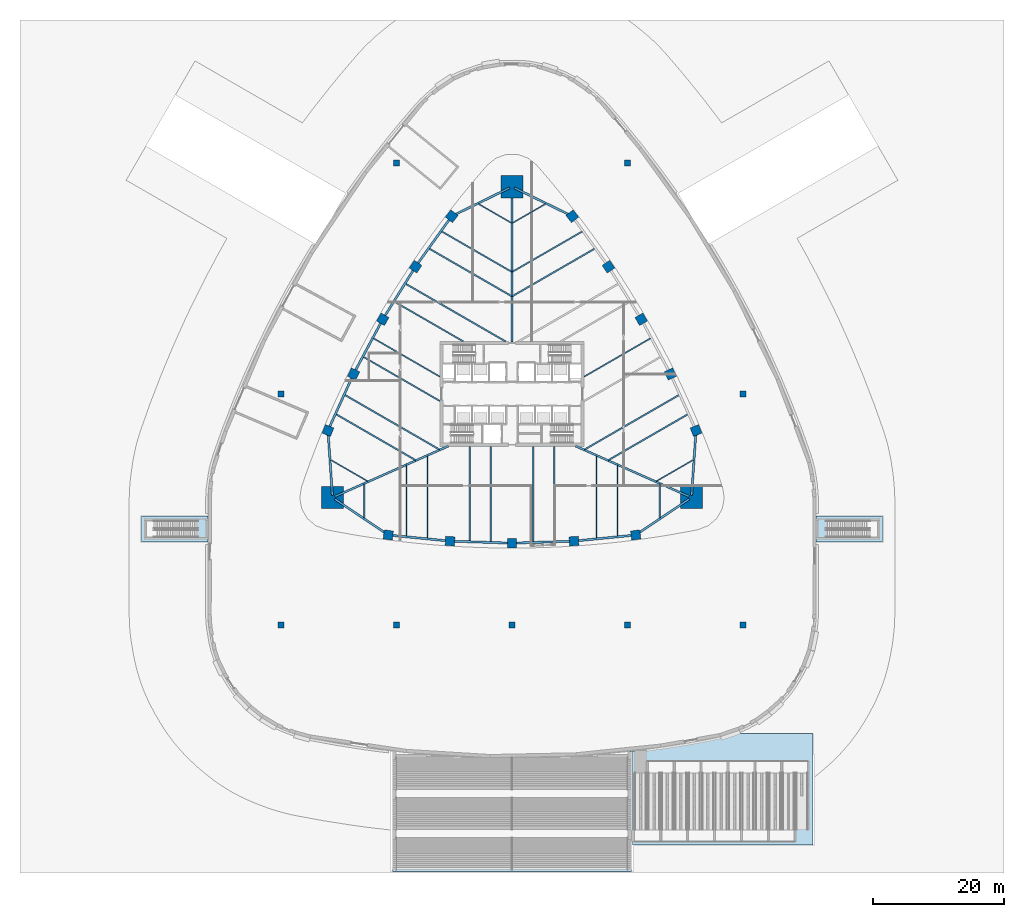
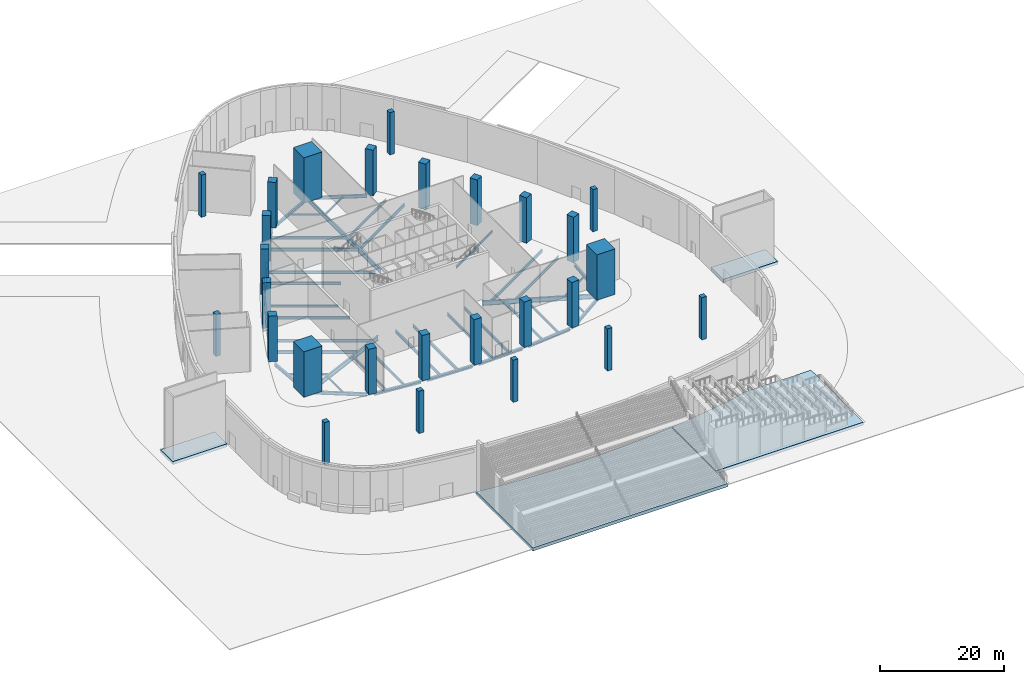
# One storey, part 1 of 29: 44 beams, 27 columns, 4 footings.
"""IFC4 building model written with IfcOpenShell, lengths in metres."""

from ifc_helpers import new_model, si_unit, direction, frame, origin, origin_2d, place, context, subcontext, project, spatial, polyline, rectangle, i_section, outline, extrude, material, material_profile, profile_set, type_object, element, save


model = new_model("IFC4")

# Units and contexts
model_context = context("Model", 3, precision=1e-05, world=origin(), true_north=direction((0.0, 1.0)))
body_context = subcontext(model_context, "Body", "Model", "MODEL_VIEW")
ifc_project = project(units=[si_unit("LENGTHUNIT", "METRE"), si_unit("AREAUNIT", "SQUARE_METRE"), si_unit("VOLUMEUNIT", "CUBIC_METRE"), si_unit("PLANEANGLEUNIT", "RADIAN"), si_unit("MASSUNIT", "GRAM", prefix="KILO")], contexts=[model_context])

# Site, building, storey
site_placement = place(None, origin())
site = spatial("IfcSite", under=ifc_project, at=site_placement, CompositionType="ELEMENT")
building_placement = place(site_placement, origin())
building = spatial("IfcBuilding", under=site, at=building_placement, Name="Sierra Prisma Convention Tower", CompositionType="ELEMENT")
storey_placement = place(building_placement, origin())
storey = spatial("IfcBuildingStorey", under=building, at=storey_placement, Name="L00", CompositionType="ELEMENT", Elevation=0.0)

# Footings
ifc_material_1 = material(Name="Concrete C30/37", Category="concrete")
footing_type_1 = type_object("IfcFootingType", Name="Ramp bank footing", PredefinedType="PAD_FOOTING", material=ifc_material_1)
footing_1_placement = place(storey_placement, frame((0.0, 0.0, -0.60009765625)))
element("IfcFooting", 1, at=footing_1_placement, inside=storey, type_object=footing_type_1, Name="Accessible ramp foundation", PredefinedType="PAD_FOOTING", context=body_context, shape_type="SweptSolid", body=[
    extrude(outline(polyline([(33.239990234375, -51.800048828125), (33.15185546875, -51.833251953125), (31.758056640625, -52.258544921875), (31.199951171875, -52.39208984375), (29.020263671875, -52.822021484375), (26.708984375, -53.234375), (22.702392578125, -53.8662109375), (20.376708984375, -54.185302734375), (18.35009765625, -54.43310546875), (18.35009765625, -68.75390625), (45.85009765625, -68.75390625), (45.85009765625, -51.800048828125), (33.239990234375, -51.800048828125)])), origin(), (0.0, 0.0, 1.0), 0.60009765625),
])
ifc_material_2 = material(Name="Concrete C30/37", Category="concrete")
footing_type_2 = type_object("IfcFootingType", Name="Stair foundation pad", PredefinedType="PAD_FOOTING", material=ifc_material_2)
footing_2_placement = place(storey_placement, frame((0.0, 0.0, -0.60009765625)))
element("IfcFooting", 2, at=footing_2_placement, inside=storey, type_object=footing_type_2, Name="Garden stair foundation", PredefinedType="PAD_FOOTING", context=body_context, shape_type="SweptSolid", body=[
    extrude(outline(polyline([(18.199951171875, -54.451416015625), (18.167724609375, -54.455322265625), (14.1328125, -54.868408203125), (9.762939453125, -55.198974609375), (5.262939453125, -55.412109375), (3.1064453125, -55.468994140625), (-0.949462890625, -55.49658203125), (-3.364990234375, -55.4638671875), (-7.6767578125, -55.313720703125), (-11.9150390625, -55.051513671875), (-16.0908203125, -54.681396484375), (-18.199951171875, -54.4375), (-18.199951171875, -72.790283203125), (18.199951171875, -72.790283203125), (18.199951171875, -54.451416015625)])), origin(), (0.0, 0.0, 1.0), 0.60009765625),
])
footing_3_placement = place(storey_placement, frame((0.0, 0.0, -0.60009765625)))
element("IfcFooting", 3, at=footing_3_placement, inside=storey, type_object=footing_type_2, Name="Exit stair west foundation", PredefinedType="PAD_FOOTING", context=body_context, shape_type="SweptSolid", body=[
    extrude(outline(polyline([(-46.3544921875, -22.574951171875), (-46.3544921875, -18.625), (-56.474609375, -18.625), (-56.474609375, -22.574951171875), (-46.3544921875, -22.574951171875)])), origin(), (0.0, 0.0, 1.0), 0.60009765625),
])
footing_4_placement = place(storey_placement, frame((0.0, 0.0, -0.60009765625)))
element("IfcFooting", 4, at=footing_4_placement, inside=storey, type_object=footing_type_2, Name="Exit stair east foundation", PredefinedType="PAD_FOOTING", context=body_context, shape_type="SweptSolid", body=[
    extrude(outline(polyline([(56.468994140625, -22.574951171875), (56.468994140625, -18.625), (46.34814453125, -18.625), (46.349853515625, -22.574951171875), (56.468994140625, -22.574951171875)])), origin(), (0.0, 0.0, 1.0), 0.60009765625),
])

# Columns
ifc_material_3 = material(Name="Concrete C70/85", Category="concrete")
ifc_material_profile_1 = material_profile(ifc_material_3, rectangle(XDim=0.89990234375, YDim=0.89990234375, at=origin_2d()), Name="Hall column RC 900 C70/85")
ifc_profile_set_1 = profile_set([ifc_material_profile_1], Name="Concrete C70/85")
column_type_1 = type_object("IfcColumnType", Name="Hall column RC 900 C70/85", PredefinedType="COLUMN", material=ifc_profile_set_1)
for number, where, z_axis, x_axis, name in (
    (5, (-35.199951171875, -35.199951171875, 0.0), (0.0, 0.0, 1.0), (1.0, 0.0, 0.0), "Hall column -35.2 -35.2"),
    (6, (-35.199951171875, 0.0, 0.0), (0.0, 0.0, 1.0), (1.0, 0.0, 0.0), "Hall column -35.2 +0.0"),
    (7, (-17.60009765625, -35.199951171875, 0.0), (0.0, 0.0, 1.0), (1.0, 0.0, 0.0), "Hall column -17.6 -35.2"),
    (8, (-17.60009765625, 35.199951171875, 0.0), (0.0, 0.0, 1.0), (1.0, 0.0, 0.0), "Hall column -17.6 +35.2"),
    (9, (0.0, -35.199951171875, 0.0), (0.0, 0.0, 1.0), (1.0, 0.0, 0.0), "Hall column +0.0 -35.2"),
    (10, (17.60009765625, -35.199951171875, 0.0), (0.0, 0.0, 1.0), (1.0, 0.0, 0.0), "Hall column +17.6 -35.2"),
    (11, (17.60009765625, 35.199951171875, 0.0), (0.0, 0.0, 1.0), (1.0, 0.0, 0.0), "Hall column +17.6 +35.2"),
    (12, (35.199951171875, -35.199951171875, 0.0), (0.0, 0.0, 1.0), (1.0, 0.0, 0.0), "Hall column +35.2 -35.2"),
    (13, (35.199951171875, 0.0, 0.0), (0.0, 0.0, 1.0), (1.0, 0.0, 0.0), "Hall column +35.2 +0.0"),
):
    element("IfcColumn", number, at=place(storey_placement, frame(where, z_axis=z_axis, x_axis=x_axis)), inside=storey, type_object=column_type_1, Name=name, PredefinedType="COLUMN", context=body_context, shape_type="SweptSolid", body=[
        extrude(rectangle(XDim=0.89990234375, YDim=0.89990234375, at=origin_2d()), origin(), (0.0, 0.0, 1.0), 8.340087890625),
    ])
ifc_material_4 = material(Name="Concrete C70/85", Category="concrete")
ifc_material_profile_2 = material_profile(ifc_material_4, rectangle(XDim=3.39990234375, YDim=3.39990234375, at=origin_2d()), Name="Mega column RC 3400 C70/85")
ifc_profile_set_2 = profile_set([ifc_material_profile_2], Name="Concrete C70/85")
column_type_2 = type_object("IfcColumnType", Name="Mega column RC 3400 C70/85", PredefinedType="COLUMN", material=ifc_profile_set_2)
for number, where, z_axis, x_axis, name in (
    (14, (27.35498046875, -15.79345703125, 0.0), (0.0, 0.0, 1.0), (1.0, 0.0, 0.0), "Mega column SE L00"),
    (15, (0.0, 31.5869140625, 0.0), (0.0, 0.0, 1.0), (1.0, 0.0, 0.0), "Mega column N L00"),
    (16, (-27.35498046875, -15.79345703125, 0.0), (0.0, 0.0, 1.0), (1.0, 0.0, 0.0), "Mega column SW L00"),
):
    element("IfcColumn", number, at=place(storey_placement, frame(where, z_axis=z_axis, x_axis=x_axis)), inside=storey, type_object=column_type_2, Name=name, PredefinedType="COLUMN", context=body_context, shape_type="SweptSolid", body=[
        extrude(rectangle(XDim=3.39990234375, YDim=3.39990234375, at=origin_2d()), origin(), (0.0, 0.0, 1.0), 9.0),
    ])
ifc_material_5 = material(Name="Concrete C70/85", Category="concrete")
ifc_material_profile_3 = material_profile(ifc_material_5, rectangle(XDim=1.39990234375, YDim=1.39990234375, at=origin_2d()), Name="Perimeter column RC 1400 C70/85")
ifc_profile_set_3 = profile_set([ifc_material_profile_3], Name="Concrete C70/85")
column_type_3 = type_object("IfcColumnType", Name="Perimeter column RC 1400 C70/85", PredefinedType="COLUMN", material=ifc_profile_set_3)
for number, where, z_axis, x_axis, name in (
    (17, (-18.85986328125, -21.50830078125, 0.0), (0.0, 0.0, 1.0), (-0.991367231014, 0.131114504428, 0.0), "Perimeter column S-1 L00"),
    (18, (-9.450439453125, -22.439208984375, 0.0), (0.0, 0.0, 1.0), (-0.997839473817, 0.06569919705, 0.0), "Perimeter column S-2 L00"),
    (19, (0.0, -22.75, 0.0), (0.0, 0.0, 1.0), (1.0, 0.0, 0.0), "Perimeter column S-3 L00"),
    (20, (9.450439453125, -22.439208984375, 0.0), (0.0, 0.0, 1.0), (0.997839473817, 0.06569919705, 0.0), "Perimeter column S-4 L00"),
    (21, (18.85986328125, -21.50830078125, 0.0), (0.0, 0.0, 1.0), (0.991367231014, 0.131114504428, 0.0), "Perimeter column S-5 L00"),
    (22, (28.056640625, -5.5791015625, 0.0), (0.0, 0.0, 1.0), (-0.382135123868, 0.924106458752, 0.0), "Perimeter column NE-1 L00"),
    (23, (24.158203125, 3.035400390625, 0.0), (0.0, 0.0, 1.0), (-0.442022563255, 0.897003931749, 0.0), "Perimeter column NE-2 L00"),
    (24, (19.7021484375, 11.375, 0.0), (0.0, 0.0, 1.0), (-0.5, 0.866025403784, 0.0), "Perimeter column NE-3 L00"),
    (25, (14.707763671875, 19.40380859375, 0.0), (0.0, 0.0, 1.0), (-0.555816910562, 0.8313047347, 0.0), "Perimeter column NE-4 L00"),
    (26, (9.19677734375, 27.08740234375, 0.0), (0.0, 0.0, 1.0), (-0.609232107146, 0.792991954324, 0.0), "Perimeter column NE-5 L00"),
    (27, (-9.19677734375, 27.08740234375, 0.0), (0.0, 0.0, 1.0), (0.609232107146, 0.792991954324, 0.0), "Perimeter column NW-1 L00"),
    (28, (-14.707763671875, 19.40380859375, 0.0), (0.0, 0.0, 1.0), (0.555816910562, 0.8313047347, 0.0), "Perimeter column NW-2 L00"),
    (29, (-19.7021484375, 11.375, 0.0), (0.0, 0.0, 1.0), (0.5, 0.866025403784, 0.0), "Perimeter column NW-3 L00"),
    (30, (-24.158203125, 3.035400390625, 0.0), (0.0, 0.0, 1.0), (0.442022563255, 0.897003931749, 0.0), "Perimeter column NW-4 L00"),
    (31, (-28.056640625, -5.5791015625, 0.0), (0.0, 0.0, 1.0), (0.382135123868, 0.924106458752, 0.0), "Perimeter column NW-5 L00"),
):
    element("IfcColumn", number, at=place(storey_placement, frame(where, z_axis=z_axis, x_axis=x_axis)), inside=storey, type_object=column_type_3, Name=name, PredefinedType="COLUMN", context=body_context, shape_type="SweptSolid", body=[
        extrude(rectangle(XDim=1.39990234375, YDim=1.39990234375, at=origin_2d()), origin(), (0.0, 0.0, 1.0), 9.0),
    ])

# Beams
ifc_material_6 = material(Name="Steel ASTM A992 Gr 50", Category="steel")
ifc_material_profile_4 = material_profile(ifc_material_6, i_section(OverallWidth=0.172119140625, OverallDepth=0.35791015625, WebThickness=0.0078125, FlangeThickness=0.01318359375, at=origin_2d()), Name="W360x57")
ifc_profile_set_4 = profile_set([ifc_material_profile_4], Name="Steel ASTM A992 Gr 50")
beam_type_1 = type_object("IfcBeamType", Name="Floor joist W360x57", PredefinedType="JOIST", material=ifc_profile_set_4)
for number, where, z_axis, x_axis, name in (
    (32, (-22.52783203125, -18.89501953125, -0.428955078125), (0.0, 1.0, 0.0), (-1.0, 0.0, 0.0), "Floor joist L00 S02"),
    (33, (22.52783203125, -18.89501953125, -0.428955078125), (0.0, 1.0, 0.0), (-1.0, 0.0, 0.0), "Floor joist L00 S16"),
):
    element("IfcBeam", number, at=place(storey_placement, frame(where, z_axis=z_axis, x_axis=x_axis)), inside=storey, type_object=beam_type_1, Name=name, PredefinedType="JOIST", context=body_context, shape_type="SweptSolid", body=[
        extrude(i_section(OverallWidth=0.172119140625, OverallDepth=0.35791015625, WebThickness=0.0078125, FlangeThickness=0.01318359375, at=origin_2d()), origin(), (0.0, 0.0, 1.0), 5.177978515625),
    ])
beam_1_placement = place(storey_placement, frame((27.62744140625, -10.06201171875, -0.428955078125), z_axis=(-0.866022747659, -0.500004600516, 0.0), x_axis=(0.500004600516, -0.866022747659, 0.0)))
element("IfcBeam", 34, at=beam_1_placement, inside=storey, type_object=beam_type_1, Name="Floor joist L00 NE02", PredefinedType="JOIST", context=body_context, shape_type="SweptSolid", body=[
    extrude(i_section(OverallWidth=0.172119140625, OverallDepth=0.35791015625, WebThickness=0.0078125, FlangeThickness=0.01318359375, at=origin_2d()), origin(), (0.0, 0.0, 1.0), 6.54150390625),
])
for number, where, z_axis, x_axis, name in (
    (35, (5.099609375, 28.95703125, -0.428955078125), (-0.866024171998, -0.500002133511, 0.0), (0.500002133511, -0.866024171998, 0.0), "Floor joist L00 NE16"),
    (36, (-5.099609375, 28.95703125, -0.428955078125), (0.866024171998, -0.500002133511, 0.0), (0.500002133511, 0.866024171998, 0.0), "Floor joist L00 NW02"),
):
    element("IfcBeam", number, at=place(storey_placement, frame(where, z_axis=z_axis, x_axis=x_axis)), inside=storey, type_object=beam_type_1, Name=name, PredefinedType="JOIST", context=body_context, shape_type="SweptSolid", body=[
        extrude(i_section(OverallWidth=0.172119140625, OverallDepth=0.35791015625, WebThickness=0.0078125, FlangeThickness=0.01318359375, at=origin_2d()), origin(), (0.0, 0.0, 1.0), 5.818359375),
    ])
beam_2_placement = place(storey_placement, frame((-27.62744140625, -10.06201171875, -0.428955078125), z_axis=(0.866022747659, -0.500004600516, 0.0), x_axis=(0.500004600516, 0.866022747659, 0.0)))
element("IfcBeam", 37, at=beam_2_placement, inside=storey, type_object=beam_type_1, Name="Floor joist L00 NW16", PredefinedType="JOIST", context=body_context, shape_type="SweptSolid", body=[
    extrude(i_section(OverallWidth=0.172119140625, OverallDepth=0.35791015625, WebThickness=0.0078125, FlangeThickness=0.01318359375, at=origin_2d()), origin(), (0.0, 0.0, 1.0), 6.54150390625),
])
ifc_material_7 = material(Name="Steel ASTM A992 Gr 50", Category="steel")
ifc_material_profile_5 = material_profile(ifc_material_7, i_section(OverallWidth=0.18994140625, OverallDepth=0.45703125, WebThickness=0.009033203125, FlangeThickness=0.014404296875, at=origin_2d()), Name="W460x74")
ifc_profile_set_5 = profile_set([ifc_material_profile_5], Name="Steel ASTM A992 Gr 50")
beam_type_2 = type_object("IfcBeamType", Name="Floor joist W460x74", PredefinedType="JOIST", material=ifc_profile_set_5)
for number, where, z_axis, x_axis, name in (
    (38, (-16.09130859375, -21.6689453125, -0.478515625), (0.0, 1.0, 0.0), (-1.0, 0.0, 0.0), "Floor joist L00 S04"),
    (39, (16.09130859375, -21.6689453125, -0.478515625), (0.0, 1.0, 0.0), (-1.0, 0.0, 0.0), "Floor joist L00 S14"),
):
    element("IfcBeam", number, at=place(storey_placement, frame(where, z_axis=z_axis, x_axis=x_axis)), inside=storey, type_object=beam_type_2, Name=name, PredefinedType="JOIST", context=body_context, shape_type="SweptSolid", body=[
        extrude(i_section(OverallWidth=0.18994140625, OverallDepth=0.45703125, WebThickness=0.009033203125, FlangeThickness=0.014404296875, at=origin_2d()), origin(), (0.0, 0.0, 1.0), 10.8095703125),
    ])
for number, where, z_axis, x_axis, name in (
    (40, (21.1220703125, 8.478759765625, -0.478515625), (-0.866024880635, -0.500000906121, 0.0), (0.500000906121, -0.866024880635, 0.0), "Floor joist L00 NE08"),
    (41, (-21.1220703125, 8.478759765625, -0.478515625), (0.866024880635, -0.500000906121, 0.0), (0.500000906121, 0.866024880635, 0.0), "Floor joist L00 NW10"),
):
    element("IfcBeam", number, at=place(storey_placement, frame(where, z_axis=z_axis, x_axis=x_axis)), inside=storey, type_object=beam_type_2, Name=name, PredefinedType="JOIST", context=body_context, shape_type="SweptSolid", body=[
        extrude(i_section(OverallWidth=0.18994140625, OverallDepth=0.45703125, WebThickness=0.009033203125, FlangeThickness=0.014404296875, at=origin_2d()), origin(), (0.0, 0.0, 1.0), 11.68798828125),
    ])
ifc_material_8 = material(Name="Steel ASTM A992 Gr 50", Category="steel")
ifc_material_profile_6 = material_profile(ifc_material_8, i_section(OverallWidth=0.208984375, OverallDepth=0.532958984375, WebThickness=0.01025390625, FlangeThickness=0.015625, at=origin_2d()), Name="W530x92")
ifc_profile_set_6 = profile_set([ifc_material_profile_6], Name="Steel ASTM A992 Gr 50")
beam_type_3 = type_object("IfcBeamType", Name="Floor joist W530x92", PredefinedType="JOIST", material=ifc_profile_set_6)
for number, where, z_axis, x_axis, name in (
    (42, (-12.873046875, -21.9873046875, -0.5166015625), (0.0, 1.0, 0.0), (-1.0, 0.0, 0.0), "Floor joist L00 S05"),
    (43, (12.873046875, -21.9873046875, -0.5166015625), (0.0, 1.0, 0.0), (-1.0, 0.0, 0.0), "Floor joist L00 S13"),
):
    element("IfcBeam", number, at=place(storey_placement, frame(where, z_axis=z_axis, x_axis=x_axis)), inside=storey, type_object=beam_type_3, Name=name, PredefinedType="JOIST", context=body_context, shape_type="SweptSolid", body=[
        extrude(i_section(OverallWidth=0.208984375, OverallDepth=0.532958984375, WebThickness=0.01025390625, FlangeThickness=0.015625, at=origin_2d()), origin(), (0.0, 0.0, 1.0), 12.556640625),
    ])
for number, where, z_axis, x_axis, name in (
    (44, (10.72021484375, 24.769775390625, -0.5166015625), (-0.866031330991, -0.499989733636, 0.0), (0.499989733636, -0.866031330991, 0.0), "Floor joist L00 NE14"),
    (45, (-10.72021484375, 24.769775390625, -0.5166015625), (0.866031330991, -0.499989733636, 0.0), (0.499989733636, 0.866031330991, 0.0), "Floor joist L00 NW04"),
):
    element("IfcBeam", number, at=place(storey_placement, frame(where, z_axis=z_axis, x_axis=x_axis)), inside=storey, type_object=beam_type_3, Name=name, PredefinedType="JOIST", context=body_context, shape_type="SweptSolid", body=[
        extrude(i_section(OverallWidth=0.208984375, OverallDepth=0.532958984375, WebThickness=0.01025390625, FlangeThickness=0.015625, at=origin_2d()), origin(), (0.0, 0.0, 1.0), 12.308349609375),
    ])
beam_3_placement = place(storey_placement, frame((-17.90380859375, 14.052978515625, -0.5166015625), z_axis=(0.866021694642, -0.500006424369, 0.0), x_axis=(0.500006424369, 0.866021694642, 0.0)))
element("IfcBeam", 46, at=beam_3_placement, inside=storey, type_object=beam_type_3, Name="Floor joist L00 NW08", PredefinedType="JOIST", context=body_context, shape_type="SweptSolid", body=[
    extrude(i_section(OverallWidth=0.208984375, OverallDepth=0.532958984375, WebThickness=0.01025390625, FlangeThickness=0.015625, at=origin_2d()), origin(), (0.0, 0.0, 1.0), 12.105712890625),
])
beam_4_placement = place(storey_placement, frame((-22.639404296875, 5.638671875, -0.5166015625), z_axis=(0.866026773083, -0.499997628298, 0.0), x_axis=(0.499997628298, 0.866026773083, 0.0)))
element("IfcBeam", 47, at=beam_4_placement, inside=storey, type_object=beam_type_3, Name="Floor joist L00 NW11", PredefinedType="JOIST", context=body_context, shape_type="SweptSolid", body=[
    extrude(i_section(OverallWidth=0.208984375, OverallDepth=0.532958984375, WebThickness=0.01025390625, FlangeThickness=0.015625, at=origin_2d()), origin(), (0.0, 0.0, 1.0), 13.43994140625),
])
ifc_material_9 = material(Name="Steel ASTM A992 Gr 50", Category="steel")
ifc_material_profile_7 = material_profile(ifc_material_9, i_section(OverallWidth=0.22802734375, OverallDepth=0.60302734375, WebThickness=0.010498046875, FlangeThickness=0.014892578125, at=origin_2d()), Name="W610x101")
ifc_profile_set_7 = profile_set([ifc_material_profile_7], Name="Steel ASTM A992 Gr 50")
beam_type_4 = type_object("IfcBeamType", Name="Floor joist W610x101", PredefinedType="JOIST", material=ifc_profile_set_7)
beam_5_placement = place(storey_placement, frame((-6.4365234375, -22.42578125, -0.551513671875), z_axis=(0.0, 1.0, 0.0), x_axis=(-1.0, 0.0, 0.0)))
element("IfcBeam", 48, at=beam_5_placement, inside=storey, type_object=beam_type_4, Name="Floor joist L00 S07", PredefinedType="JOIST", context=body_context, shape_type="SweptSolid", body=[
    extrude(i_section(OverallWidth=0.22802734375, OverallDepth=0.60302734375, WebThickness=0.010498046875, FlangeThickness=0.014892578125, at=origin_2d()), origin(), (0.0, 0.0, 1.0), 14.42578125),
])
for number, where, z_axis, x_axis, name in (
    (49, (-3.21826171875, -22.531494140625, -0.551513671875), (0.0, 1.0, 0.0), (-1.0, 0.0, 0.0), "Floor joist L00 S08"),
    (50, (3.21826171875, -22.531494140625, -0.551513671875), (0.0, 1.0, 0.0), (-1.0, 0.0, 0.0), "Floor joist L00 S10"),
):
    element("IfcBeam", number, at=place(storey_placement, frame(where, z_axis=z_axis, x_axis=x_axis)), inside=storey, type_object=beam_type_4, Name=name, PredefinedType="JOIST", context=body_context, shape_type="SweptSolid", body=[
        extrude(i_section(OverallWidth=0.22802734375, OverallDepth=0.60302734375, WebThickness=0.010498046875, FlangeThickness=0.014892578125, at=origin_2d()), origin(), (0.0, 0.0, 1.0), 14.531494140625),
    ])
beam_6_placement = place(storey_placement, frame((6.4365234375, -22.42578125, -0.551513671875), z_axis=(0.0, 1.0, 0.0), x_axis=(-1.0, 0.0, 0.0)))
element("IfcBeam", 51, at=beam_6_placement, inside=storey, type_object=beam_type_4, Name="Floor joist L00 S11", PredefinedType="JOIST", context=body_context, shape_type="SweptSolid", body=[
    extrude(i_section(OverallWidth=0.22802734375, OverallDepth=0.60302734375, WebThickness=0.010498046875, FlangeThickness=0.014892578125, at=origin_2d()), origin(), (0.0, 0.0, 1.0), 14.42578125),
])
beam_7_placement = place(storey_placement, frame((26.8115234375, -3.10107421875, -0.551513671875), z_axis=(-0.866032862007, -0.499987081758, 0.0), x_axis=(0.499987081758, -0.866032862007, 0.0)))
element("IfcBeam", 52, at=beam_7_placement, inside=storey, type_object=beam_type_4, Name="Floor joist L00 NE04", PredefinedType="JOIST", context=body_context, shape_type="SweptSolid", body=[
    extrude(i_section(OverallWidth=0.22802734375, OverallDepth=0.60302734375, WebThickness=0.010498046875, FlangeThickness=0.014892578125, at=origin_2d()), origin(), (0.0, 0.0, 1.0), 14.002197265625),
])
beam_8_placement = place(storey_placement, frame((25.47802734375, -0.15478515625, -0.551513671875), z_axis=(-0.866027491634, -0.499996383721, 0.0), x_axis=(0.499996383721, -0.866027491634, 0.0)))
element("IfcBeam", 53, at=beam_8_placement, inside=storey, type_object=beam_type_4, Name="Floor joist L00 NE05", PredefinedType="JOIST", context=body_context, shape_type="SweptSolid", body=[
    extrude(i_section(OverallWidth=0.22802734375, OverallDepth=0.60302734375, WebThickness=0.010498046875, FlangeThickness=0.014892578125, at=origin_2d()), origin(), (0.0, 0.0, 1.0), 16.6640625),
])
for number, where, z_axis, x_axis, name in (
    (54, (12.60498046875, 22.14208984375, -0.551513671875), (-0.866024193569, -0.500002096149, 0.0), (0.500002096149, -0.866024193569, 0.0), "Floor joist L00 NE13"),
    (55, (-12.60498046875, 22.14208984375, -0.551513671875), (0.866024193569, -0.500002096149, 0.0), (0.500002096149, 0.866024193569, 0.0), "Floor joist L00 NW05"),
):
    element("IfcBeam", number, at=place(storey_placement, frame(where, z_axis=z_axis, x_axis=x_axis)), inside=storey, type_object=beam_type_4, Name=name, PredefinedType="JOIST", context=body_context, shape_type="SweptSolid", body=[
        extrude(i_section(OverallWidth=0.22802734375, OverallDepth=0.60302734375, WebThickness=0.010498046875, FlangeThickness=0.014892578125, at=origin_2d()), origin(), (0.0, 0.0, 1.0), 14.48486328125),
    ])
beam_9_placement = place(storey_placement, frame((-16.203125, 16.787109375, -0.551513671875), z_axis=(0.866025498715, -0.499999835575, 0.0), x_axis=(0.499999835575, 0.866025498715, 0.0)))
element("IfcBeam", 56, at=beam_9_placement, inside=storey, type_object=beam_type_4, Name="Floor joist L00 NW07", PredefinedType="JOIST", context=body_context, shape_type="SweptSolid", body=[
    extrude(i_section(OverallWidth=0.22802734375, OverallDepth=0.60302734375, WebThickness=0.010498046875, FlangeThickness=0.014892578125, at=origin_2d()), origin(), (0.0, 0.0, 1.0), 17.57421875),
])
beam_10_placement = place(storey_placement, frame((-25.47802734375, -0.15478515625, -0.551513671875), z_axis=(0.866027491634, -0.499996383721, 0.0), x_axis=(0.499996383721, 0.866027491634, 0.0)))
element("IfcBeam", 57, at=beam_10_placement, inside=storey, type_object=beam_type_4, Name="Floor joist L00 NW13", PredefinedType="JOIST", context=body_context, shape_type="SweptSolid", body=[
    extrude(i_section(OverallWidth=0.22802734375, OverallDepth=0.60302734375, WebThickness=0.010498046875, FlangeThickness=0.014892578125, at=origin_2d()), origin(), (0.0, 0.0, 1.0), 16.6640625),
])
beam_11_placement = place(storey_placement, frame((-26.8115234375, -3.10107421875, -0.551513671875), z_axis=(0.866032862007, -0.499987081758, 0.0), x_axis=(0.499987081758, 0.866032862007, 0.0)))
element("IfcBeam", 58, at=beam_11_placement, inside=storey, type_object=beam_type_4, Name="Floor joist L00 NW14", PredefinedType="JOIST", context=body_context, shape_type="SweptSolid", body=[
    extrude(i_section(OverallWidth=0.22802734375, OverallDepth=0.60302734375, WebThickness=0.010498046875, FlangeThickness=0.014892578125, at=origin_2d()), origin(), (0.0, 0.0, 1.0), 14.002197265625),
])
ifc_material_10 = material(Name="Steel ASTM A992 Gr 50", Category="steel")
ifc_material_profile_8 = material_profile(ifc_material_10, i_section(OverallWidth=0.303955078125, OverallDepth=0.903076171875, WebThickness=0.01513671875, FlangeThickness=0.02001953125, at=origin_2d()), Name="W920x201")
ifc_profile_set_8 = profile_set([ifc_material_profile_8], Name="Steel ASTM A992 Gr 50")
beam_type_5 = type_object("IfcBeamType", Name="Radial girder W920x201", PredefinedType="BEAM", material=ifc_profile_set_8)
beam_12_placement = place(storey_placement, frame((27.01513671875, -15.642578125, -0.701416015625), z_axis=(-0.91398196052, 0.405754822331, 0.0), x_axis=(-0.405754822331, -0.91398196052, 0.0)))
element("IfcBeam", 59, at=beam_12_placement, inside=storey, type_object=beam_type_5, Name="Radial girder L00 SE", PredefinedType="BEAM", context=body_context, shape_type="SweptSolid", body=[
    extrude(i_section(OverallWidth=0.303955078125, OverallDepth=0.903076171875, WebThickness=0.01513671875, FlangeThickness=0.02001953125, at=origin_2d()), origin(), (0.0, 0.0, 1.0), 18.955078125),
])
beam_13_placement = place(storey_placement, frame((0.0, 31.2470703125, -0.701416015625), z_axis=(0.0, -1.0, 0.0), x_axis=(1.0, 0.0, 0.0)))
element("IfcBeam", 60, at=beam_13_placement, inside=storey, type_object=beam_type_5, Name="Radial girder L00 N", PredefinedType="BEAM", context=body_context, shape_type="SweptSolid", body=[
    extrude(i_section(OverallWidth=0.303955078125, OverallDepth=0.903076171875, WebThickness=0.01513671875, FlangeThickness=0.02001953125, at=origin_2d()), origin(), (0.0, 0.0, 1.0), 23.3671875),
])
beam_14_placement = place(storey_placement, frame((-27.01513671875, -15.642578125, -0.701416015625), z_axis=(0.91398196052, 0.405754822331, 0.0), x_axis=(-0.405754822331, 0.91398196052, 0.0)))
element("IfcBeam", 61, at=beam_14_placement, inside=storey, type_object=beam_type_5, Name="Radial girder L00 SW", PredefinedType="BEAM", context=body_context, shape_type="SweptSolid", body=[
    extrude(i_section(OverallWidth=0.303955078125, OverallDepth=0.903076171875, WebThickness=0.01513671875, FlangeThickness=0.02001953125, at=origin_2d()), origin(), (0.0, 0.0, 1.0), 18.955078125),
])
ifc_material_11 = material(Name="Steel ASTM A992 Gr 50", Category="steel")
ifc_material_profile_9 = material_profile(ifc_material_11, i_section(OverallWidth=0.324951171875, OverallDepth=0.615966796875, WebThickness=0.013916015625, FlangeThickness=0.021484375, at=origin_2d()), Name="W610x174")
ifc_profile_set_9 = profile_set([ifc_material_profile_9], Name="Steel ASTM A992 Gr 50")
beam_type_6 = type_object("IfcBeamType", Name="Spandrel beam W610x174", PredefinedType="BEAM", material=ifc_profile_set_9)
beam_15_placement = place(storey_placement, frame((-27.01513671875, -16.022216796875, -0.55810546875), z_axis=(0.829740498665, -0.558149357139, 0.0), x_axis=(0.558149357139, 0.829740498665, 0.0)))
element("IfcBeam", 62, at=beam_15_placement, inside=storey, type_object=beam_type_6, Name="Spandrel L00-01", PredefinedType="BEAM", context=body_context, shape_type="SweptSolid", body=[
    extrude(i_section(OverallWidth=0.324951171875, OverallDepth=0.615966796875, WebThickness=0.013916015625, FlangeThickness=0.021484375, at=origin_2d()), origin(), (0.0, 0.0, 1.0), 9.167236328125),
])
beam_16_placement = place(storey_placement, frame((-18.2822265625, -21.5654296875, -0.55810546875), z_axis=(0.99514126278, -0.098457438079, 0.0), x_axis=(0.098457438079, 0.99514126278, 0.0)))
element("IfcBeam", 63, at=beam_16_placement, inside=storey, type_object=beam_type_6, Name="Spandrel L00-02", PredefinedType="BEAM", context=body_context, shape_type="SweptSolid", body=[
    extrude(i_section(OverallWidth=0.324951171875, OverallDepth=0.615966796875, WebThickness=0.013916015625, FlangeThickness=0.021484375, at=origin_2d()), origin(), (0.0, 0.0, 1.0), 8.29443359375),
])
for number, where, z_axis, x_axis, name in (
    (64, (-8.870361328125, -22.458251953125, -0.55810546875), (0.999459413184, -0.032876760742, 0.0), (0.032876760742, 0.999459413184, 0.0), "Spandrel L00-03"),
    (65, (0.580078125, -22.73095703125, -0.55810546875), (0.999459413184, 0.032876760742, 0.0), (-0.032876760742, 0.999459413184, 0.0), "Spandrel L00-04"),
):
    element("IfcBeam", number, at=place(storey_placement, frame(where, z_axis=z_axis, x_axis=x_axis)), inside=storey, type_object=beam_type_6, Name=name, PredefinedType="BEAM", context=body_context, shape_type="SweptSolid", body=[
        extrude(i_section(OverallWidth=0.324951171875, OverallDepth=0.615966796875, WebThickness=0.013916015625, FlangeThickness=0.021484375, at=origin_2d()), origin(), (0.0, 0.0, 1.0), 8.294677734375),
    ])
beam_17_placement = place(storey_placement, frame((10.028076171875, -22.382080078125, -0.55810546875), z_axis=(0.99514126278, 0.098457438079, 0.0), x_axis=(-0.098457438079, 0.99514126278, 0.0)))
element("IfcBeam", 66, at=beam_17_placement, inside=storey, type_object=beam_type_6, Name="Spandrel L00-05", PredefinedType="BEAM", context=body_context, shape_type="SweptSolid", body=[
    extrude(i_section(OverallWidth=0.324951171875, OverallDepth=0.615966796875, WebThickness=0.013916015625, FlangeThickness=0.021484375, at=origin_2d()), origin(), (0.0, 0.0, 1.0), 8.29443359375),
])
beam_18_placement = place(storey_placement, frame((19.40869140625, -21.138916015625, -0.55810546875), z_axis=(0.829740498665, 0.558149357139, 0.0), x_axis=(-0.558149357139, 0.829740498665, 0.0)))
element("IfcBeam", 67, at=beam_18_placement, inside=storey, type_object=beam_type_6, Name="Spandrel L00-06", PredefinedType="BEAM", context=body_context, shape_type="SweptSolid", body=[
    extrude(i_section(OverallWidth=0.324951171875, OverallDepth=0.615966796875, WebThickness=0.013916015625, FlangeThickness=0.021484375, at=origin_2d()), origin(), (0.0, 0.0, 1.0), 9.167236328125),
])
beam_19_placement = place(storey_placement, frame((27.37841796875, -15.453369140625, -0.55810546875), z_axis=(0.06851541914, 0.997650057555, 0.0), x_axis=(-0.997650057555, 0.06851541914, 0.0)))
element("IfcBeam", 68, at=beam_19_placement, inside=storey, type_object=beam_type_6, Name="Spandrel L00-07", PredefinedType="BEAM", context=body_context, shape_type="SweptSolid", body=[
    extrude(i_section(OverallWidth=0.324951171875, OverallDepth=0.615966796875, WebThickness=0.013916015625, FlangeThickness=0.021484375, at=origin_2d()), origin(), (0.0, 0.0, 1.0), 9.236083984375),
])
for number, where, z_axis, x_axis, name in (
    (69, (8.6025390625, 27.3779296875, -0.55810546875), (-0.89824258339, 0.439500012952, 0.0), (-0.439500012952, -0.89824258339, 0.0), "Spandrel L00-12"),
    (70, (-0.340087890625, 31.420654296875, -0.55810546875), (-0.89824258339, -0.439500012952, 0.0), (0.439500012952, -0.89824258339, 0.0), "Spandrel L00-13"),
):
    element("IfcBeam", number, at=place(storey_placement, frame(where, z_axis=z_axis, x_axis=x_axis)), inside=storey, type_object=beam_type_6, Name=name, PredefinedType="BEAM", context=body_context, shape_type="SweptSolid", body=[
        extrude(i_section(OverallWidth=0.324951171875, OverallDepth=0.615966796875, WebThickness=0.013916015625, FlangeThickness=0.021484375, at=origin_2d()), origin(), (0.0, 0.0, 1.0), 9.198486328125),
    ])
beam_20_placement = place(storey_placement, frame((-9.534912109375, 26.61572265625, -0.55810546875), z_axis=(-0.582854647492, -0.812576433265, 0.0), x_axis=(0.812576433265, -0.582854647492, 0.0)))
element("IfcBeam", 71, at=beam_20_placement, inside=storey, type_object=beam_type_6, Name="Spandrel L00-14", PredefinedType="BEAM", context=body_context, shape_type="SweptSolid", body=[
    extrude(i_section(OverallWidth=0.324951171875, OverallDepth=0.615966796875, WebThickness=0.013916015625, FlangeThickness=0.021484375, at=origin_2d()), origin(), (0.0, 0.0, 1.0), 8.294921875),
])
beam_21_placement = place(storey_placement, frame((-15.014404296875, 18.9111328125, -0.55810546875), z_axis=(-0.528185415417, -0.849129063771, 0.0), x_axis=(0.849129063771, -0.528185415417, 0.0)))
element("IfcBeam", 72, at=beam_21_placement, inside=storey, type_object=beam_type_6, Name="Spandrel L00-15", PredefinedType="BEAM", context=body_context, shape_type="SweptSolid", body=[
    extrude(i_section(OverallWidth=0.324951171875, OverallDepth=0.615966796875, WebThickness=0.013916015625, FlangeThickness=0.021484375, at=origin_2d()), origin(), (0.0, 0.0, 1.0), 8.294677734375),
])
beam_22_placement = place(storey_placement, frame((-19.9755859375, 10.863037109375, -0.55810546875), z_axis=(-0.471267929576, -0.881990101165, 0.0), x_axis=(0.881990101165, -0.471267929576, 0.0)))
element("IfcBeam", 73, at=beam_22_placement, inside=storey, type_object=beam_type_6, Name="Spandrel L00-16", PredefinedType="BEAM", context=body_context, shape_type="SweptSolid", body=[
    extrude(i_section(OverallWidth=0.324951171875, OverallDepth=0.615966796875, WebThickness=0.013916015625, FlangeThickness=0.021484375, at=origin_2d()), origin(), (0.0, 0.0, 1.0), 8.29443359375),
])
beam_23_placement = place(storey_placement, frame((-24.3974609375, 2.506591796875, -0.55810546875), z_axis=(-0.41230108384, -0.911047647637, 0.0), x_axis=(0.911047647637, -0.41230108384, 0.0)))
element("IfcBeam", 74, at=beam_23_placement, inside=storey, type_object=beam_type_6, Name="Spandrel L00-17", PredefinedType="BEAM", context=body_context, shape_type="SweptSolid", body=[
    extrude(i_section(OverallWidth=0.324951171875, OverallDepth=0.615966796875, WebThickness=0.013916015625, FlangeThickness=0.021484375, at=origin_2d()), origin(), (0.0, 0.0, 1.0), 8.294677734375),
])
beam_24_placement = place(storey_placement, frame((-28.01123046875, -6.239013671875, -0.55810546875), z_axis=(0.06851541914, -0.997650057555, 0.0), x_axis=(0.997650057555, 0.06851541914, 0.0)))
element("IfcBeam", 75, at=beam_24_placement, inside=storey, type_object=beam_type_6, Name="Spandrel L00-18", PredefinedType="BEAM", context=body_context, shape_type="SweptSolid", body=[
    extrude(i_section(OverallWidth=0.324951171875, OverallDepth=0.615966796875, WebThickness=0.013916015625, FlangeThickness=0.021484375, at=origin_2d()), origin(), (0.0, 0.0, 1.0), 9.236083984375),
])

save(model, "model.ifc")
